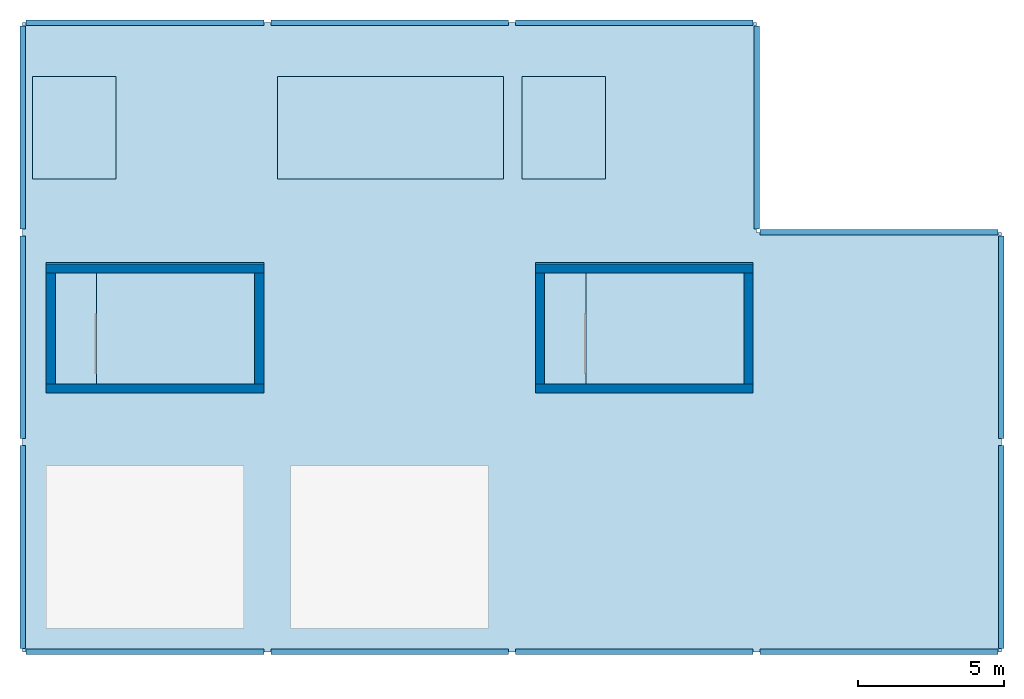
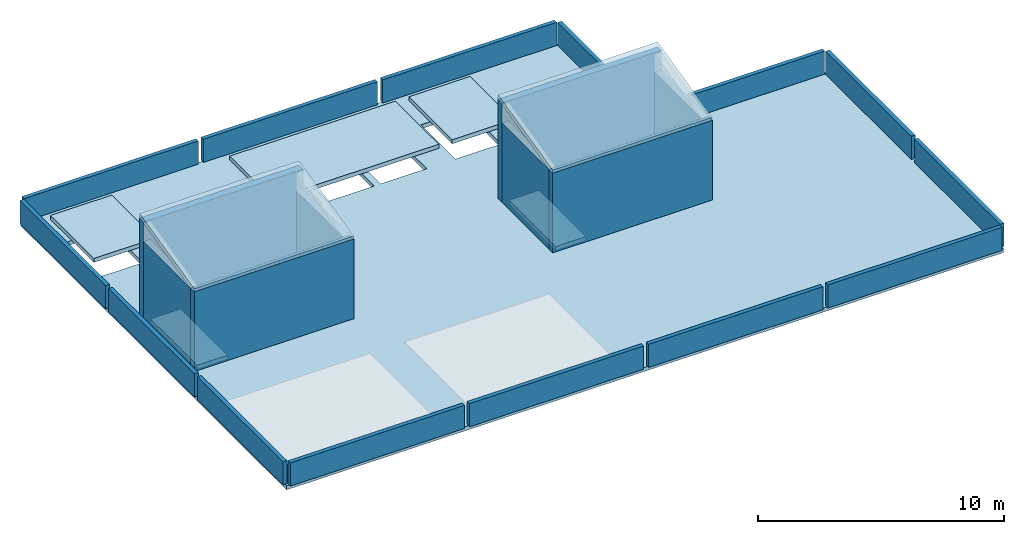
# One storey, part 1 of 2: 22 walls, 6 slabs, 2 roofs.
"""IFC4 building model written with IfcOpenShell, lengths in metres."""

from ifc_helpers import new_model, si_unit, derived_unit, direction, frame, frame_2d, origin, place, context, subcontext, project, spatial, polyline, rectangle, outline, extrude, material, layer, layer_set, type_object, element, save


model = new_model("IFC4")

# Units and contexts
model_context = context("Model", 3, precision=1e-05, world=origin(), true_north=direction((0.0, 1.0)))
body_context = subcontext(model_context, "Body", "Model", "MODEL_VIEW")
ifc_project = project(units=[si_unit("LENGTHUNIT", "METRE"), si_unit("AREAUNIT", "SQUARE_METRE"), si_unit("VOLUMEUNIT", "CUBIC_METRE"), si_unit("PLANEANGLEUNIT", "RADIAN"), si_unit("MASSUNIT", "GRAM", prefix="KILO"), derived_unit("THERMALTRANSMITTANCEUNIT", [(si_unit("MASSUNIT", "GRAM", prefix="KILO"), 1), (si_unit("TIMEUNIT", "SECOND"), -3), (si_unit("THERMODYNAMICTEMPERATUREUNIT", "KELVIN"), -1)])], contexts=[model_context])

# Site, building, storey
site_placement = place(None, origin())
site = spatial("IfcSite", under=ifc_project, at=site_placement, CompositionType="ELEMENT")
building_placement = place(site_placement, origin())
building = spatial("IfcBuilding", under=site, at=building_placement, Name="Veldstrom Oceanarium and Marine Research Institute", CompositionType="ELEMENT")
storey_placement = place(building_placement, frame((0.0, 0.0, 73.800048828125)))
storey = spatial("IfcBuildingStorey", under=building, at=storey_placement, Name="ROOF", CompositionType="ELEMENT", Elevation=73.800048828125)

# Slabs
ifc_material_1 = material(Name="Concrete C40/50", Category="concrete")
ifc_layer_1 = layer(ifc_material_1, 0.199951171875)
ifc_layer_set_1 = layer_set([ifc_layer_1], Name="STR-SLB-LD200")
slab_type_1 = type_object("IfcSlabType", Name="STR-SLB-LD200", PredefinedType="LANDING", material=ifc_layer_set_1)
slab_1_placement = place(storey_placement, frame((0.0, 0.0, -0.199951171875)))
element("IfcSlab", 1, at=slab_1_placement, inside=storey, type_object=slab_type_1, Name="Stair Floor Landing ST1 ROOF", PredefinedType="LANDING", context=body_context, shape_type="SweptSolid", body=[
    extrude(outline(polyline([(76.719970703125, 52.39990234375), (78.139892578125, 52.39990234375), (78.139892578125, 56.199951171875), (76.719970703125, 56.199951171875), (76.719970703125, 52.39990234375)])), origin(), (0.0, 0.0, 1.0), 0.199951171875),
])
slab_2_placement = place(storey_placement, frame((0.0, 0.0, -0.199951171875)))
element("IfcSlab", 2, at=slab_2_placement, inside=storey, type_object=slab_type_1, Name="Stair Floor Landing ST2 ROOF", PredefinedType="LANDING", context=body_context, shape_type="SweptSolid", body=[
    extrude(outline(polyline([(93.52001953125, 52.39990234375), (94.93994140625, 52.39990234375), (94.93994140625, 56.199951171875), (93.52001953125, 56.199951171875), (93.52001953125, 52.39990234375)])), origin(), (0.0, 0.0, 1.0), 0.199951171875),
])
ifc_material_2 = material(Name="Concrete C40/50", Category="concrete")
ifc_layer_2 = layer(ifc_material_2, 0.199951171875)
ifc_layer_set_2 = layer_set([ifc_layer_2], Name="STR-SLB-RF0200")
slab_type_2 = type_object("IfcSlabType", Name="STR-SLB-RF0200", PredefinedType="ROOF", material=ifc_layer_set_2)
slab_3_placement = place(storey_placement, frame((0.0, 0.0, -0.199951171875)))
element("IfcSlab", 3, at=slab_3_placement, inside=storey, type_object=slab_type_2, Name="Maintenance Roof Slab L15", PredefinedType="ROOF", context=body_context, shape_type="SweptSolid", body=[
    extrude(outline(polyline([(109.199951171875, 50.39990234375), (109.199951171875, 43.199951171875), (100.800048828125, 43.199951171875), (92.39990234375, 43.199951171875), (84.0, 43.199951171875), (75.60009765625, 43.199951171875), (75.60009765625, 50.39990234375), (75.60009765625, 57.60009765625), (75.60009765625, 64.800048828125), (84.0, 64.800048828125), (92.39990234375, 64.800048828125), (100.800048828125, 64.800048828125), (100.800048828125, 57.60009765625), (109.199951171875, 57.60009765625), (109.199951171875, 50.39990234375)]), holes=[polyline([(76.719970703125, 52.39990234375), (83.56005859375, 52.39990234375), (83.56005859375, 56.199951171875), (76.719970703125, 56.199951171875), (76.719970703125, 52.39990234375)]), polyline([(93.52001953125, 56.199951171875), (93.52001953125, 52.39990234375), (100.360107421875, 52.39990234375), (100.360107421875, 56.199951171875), (93.52001953125, 56.199951171875)]), polyline([(78.449951171875, 62.60009765625), (76.300048828125, 62.60009765625), (76.300048828125, 59.800048828125), (78.449951171875, 59.800048828125), (78.449951171875, 62.60009765625)]), polyline([(95.25, 59.800048828125), (95.25, 62.60009765625), (93.10009765625, 62.60009765625), (93.10009765625, 59.800048828125), (95.25, 59.800048828125)]), polyline([(84.699951171875, 59.800048828125), (86.85009765625, 59.800048828125), (86.85009765625, 62.60009765625), (84.699951171875, 62.60009765625), (84.699951171875, 59.800048828125)]), polyline([(87.14990234375, 62.60009765625), (87.14990234375, 59.800048828125), (89.300048828125, 59.800048828125), (89.300048828125, 62.60009765625), (87.14990234375, 62.60009765625)]), polyline([(91.75, 62.60009765625), (89.60009765625, 62.60009765625), (89.60009765625, 59.800048828125), (91.75, 59.800048828125), (91.75, 62.60009765625)])]), origin(), (0.0, 0.0, 1.0), 0.199951171875),
])
slab_4_placement = place(storey_placement, frame((0.0, 0.0, 1.099853515625)))
element("IfcSlab", 4, at=slab_4_placement, inside=storey, type_object=slab_type_2, Name="Lift Bank Overrun Roof Slab 9/8", PredefinedType="ROOF", context=body_context, shape_type="SweptSolid", body=[
    extrude(outline(polyline([(75.93994140625, 59.43994140625), (78.81005859375, 59.43994140625), (78.81005859375, 62.9599609375), (75.93994140625, 62.9599609375), (75.93994140625, 59.43994140625)])), origin(), (0.0, 0.0, 1.0), 0.2001953125),
])
slab_5_placement = place(storey_placement, frame((0.0, 0.0, 1.099853515625)))
element("IfcSlab", 5, at=slab_5_placement, inside=storey, type_object=slab_type_2, Name="Lift Bank Overrun Roof Slab 10/8", PredefinedType="ROOF", context=body_context, shape_type="SweptSolid", body=[
    extrude(outline(polyline([(84.340087890625, 59.43994140625), (92.110107421875, 59.43994140625), (92.110107421875, 62.9599609375), (84.340087890625, 62.9599609375), (84.340087890625, 59.43994140625)])), origin(), (0.0, 0.0, 1.0), 0.2001953125),
])
slab_6_placement = place(storey_placement, frame((0.0, 0.0, 1.099853515625)))
element("IfcSlab", 6, at=slab_6_placement, inside=storey, type_object=slab_type_2, Name="Lift Bank Overrun Roof Slab 11/8", PredefinedType="ROOF", context=body_context, shape_type="SweptSolid", body=[
    extrude(outline(polyline([(92.739990234375, 59.43994140625), (95.610107421875, 59.43994140625), (95.610107421875, 62.9599609375), (92.739990234375, 62.9599609375), (92.739990234375, 59.43994140625)])), origin(), (0.0, 0.0, 1.0), 0.2001953125),
])

# Walls
ifc_material_3 = material(Name="Masonry Cavity Wall", Category="masonry")
ifc_layer_3 = layer(ifc_material_3, 0.18505859375)
ifc_layer_set_3 = layer_set([ifc_layer_3], Name="ARC-WAL-PR2")
wall_type_1 = type_object("IfcWallType", Name="ARC-WAL-PR2", PredefinedType="PARAPET", material=ifc_layer_set_3)
wall_1_placement = place(storey_placement, frame((75.719970703125, 43.199951171875, 0.0), z_axis=(0.0, 0.0, 1.0), x_axis=(1.0, 0.0, 0.0)))
element("IfcWall", 7, at=wall_1_placement, inside=storey, type_object=wall_type_1, Name="Roof Parapet Wall L15-115", PredefinedType="PARAPET", context=body_context, shape_type="SweptSolid", body=[
    extrude(rectangle(XDim=8.159912109375, YDim=0.18505859375, at=frame_2d((4.080078125, 0.0))), origin(), (0.0, 0.0, 1.0), 1.14990234375),
])
for number, where, z_axis, x_axis, name in (
    (8, (75.60009765625, 43.320068359375, 0.0), (0.0, 0.0, 1.0), (0.0, 1.0, 0.0), "Roof Parapet Wall L15-116"),
    (9, (75.60009765625, 50.52001953125, 0.0), (0.0, 0.0, 1.0), (0.0, 1.0, 0.0), "Roof Parapet Wall L15-117"),
):
    element("IfcWall", number, at=place(storey_placement, frame(where, z_axis=z_axis, x_axis=x_axis)), inside=storey, type_object=wall_type_1, Name=name, PredefinedType="PARAPET", context=body_context, shape_type="SweptSolid", body=[
        extrude(rectangle(XDim=6.9599609375, YDim=0.18505859375, at=frame_2d((3.47998046875, 0.0))), origin(), (0.0, 0.0, 1.0), 1.14990234375),
    ])
wall_2_placement = place(storey_placement, frame((75.719970703125, 64.800048828125, 0.0), z_axis=(0.0, 0.0, 1.0), x_axis=(1.0, 0.0, 0.0)))
element("IfcWall", 10, at=wall_2_placement, inside=storey, type_object=wall_type_1, Name="Roof Parapet Wall L15-118", PredefinedType="PARAPET", context=body_context, shape_type="SweptSolid", body=[
    extrude(rectangle(XDim=8.159912109375, YDim=0.18505859375, at=frame_2d((4.080078125, 0.0))), origin(), (0.0, 0.0, 1.0), 1.14990234375),
])
wall_3_placement = place(storey_placement, frame((75.60009765625, 57.719970703125, 0.0), z_axis=(0.0, 0.0, 1.0), x_axis=(0.0, 1.0, 0.0)))
element("IfcWall", 11, at=wall_3_placement, inside=storey, type_object=wall_type_1, Name="Roof Parapet Wall L15-119", PredefinedType="PARAPET", context=body_context, shape_type="SweptSolid", body=[
    extrude(rectangle(XDim=6.9599609375, YDim=0.18505859375, at=frame_2d((3.47998046875, 0.0))), origin(), (0.0, 0.0, 1.0), 1.14990234375),
])
for number, where, z_axis, x_axis, name in (
    (12, (84.1201171875, 43.199951171875, 0.0), (0.0, 0.0, 1.0), (1.0, 0.0, 0.0), "Roof Parapet Wall L15-120"),
    (13, (84.1201171875, 64.800048828125, 0.0), (0.0, 0.0, 1.0), (1.0, 0.0, 0.0), "Roof Parapet Wall L15-121"),
    (14, (92.52001953125, 43.199951171875, 0.0), (0.0, 0.0, 1.0), (1.0, 0.0, 0.0), "Roof Parapet Wall L15-122"),
    (15, (92.52001953125, 64.800048828125, 0.0), (0.0, 0.0, 1.0), (1.0, 0.0, 0.0), "Roof Parapet Wall L15-123"),
):
    element("IfcWall", number, at=place(storey_placement, frame(where, z_axis=z_axis, x_axis=x_axis)), inside=storey, type_object=wall_type_1, Name=name, PredefinedType="PARAPET", context=body_context, shape_type="SweptSolid", body=[
        extrude(rectangle(XDim=8.159912109375, YDim=0.18505859375, at=frame_2d((4.080078125, 0.0))), origin(), (0.0, 0.0, 1.0), 1.14990234375),
    ])
wall_4_placement = place(storey_placement, frame((100.800048828125, 57.719970703125, 0.0), z_axis=(0.0, 0.0, 1.0), x_axis=(0.0, 1.0, 0.0)))
element("IfcWall", 16, at=wall_4_placement, inside=storey, type_object=wall_type_1, Name="Roof Parapet Wall L15-124", PredefinedType="PARAPET", context=body_context, shape_type="SweptSolid", body=[
    extrude(rectangle(XDim=6.9599609375, YDim=0.18505859375, at=frame_2d((3.47998046875, 0.0))), origin(), (0.0, 0.0, 1.0), 1.14990234375),
])
wall_5_placement = place(storey_placement, frame((100.919921875, 43.199951171875, 0.0), z_axis=(0.0, 0.0, 1.0), x_axis=(1.0, 0.0, 0.0)))
element("IfcWall", 17, at=wall_5_placement, inside=storey, type_object=wall_type_1, Name="Roof Parapet Wall L15-125", PredefinedType="PARAPET", context=body_context, shape_type="SweptSolid", body=[
    extrude(rectangle(XDim=8.16015625, YDim=0.18505859375, at=frame_2d((4.080078125, 0.0))), origin(), (0.0, 0.0, 1.0), 1.14990234375),
])
wall_6_placement = place(storey_placement, frame((109.199951171875, 43.320068359375, 0.0), z_axis=(0.0, 0.0, 1.0), x_axis=(0.0, 1.0, 0.0)))
element("IfcWall", 18, at=wall_6_placement, inside=storey, type_object=wall_type_1, Name="Roof Parapet Wall L15-126", PredefinedType="PARAPET", context=body_context, shape_type="SweptSolid", body=[
    extrude(rectangle(XDim=6.9599609375, YDim=0.18505859375, at=frame_2d((3.47998046875, 0.0))), origin(), (0.0, 0.0, 1.0), 1.14990234375),
])
wall_7_placement = place(storey_placement, frame((100.919921875, 57.60009765625, 0.0), z_axis=(0.0, 0.0, 1.0), x_axis=(1.0, 0.0, 0.0)))
element("IfcWall", 19, at=wall_7_placement, inside=storey, type_object=wall_type_1, Name="Roof Parapet Wall L15-127", PredefinedType="PARAPET", context=body_context, shape_type="SweptSolid", body=[
    extrude(rectangle(XDim=8.16015625, YDim=0.18505859375, at=frame_2d((4.080078125, 0.0))), origin(), (0.0, 0.0, 1.0), 1.14990234375),
])
wall_8_placement = place(storey_placement, frame((109.199951171875, 50.52001953125, 0.0), z_axis=(0.0, 0.0, 1.0), x_axis=(0.0, 1.0, 0.0)))
element("IfcWall", 20, at=wall_8_placement, inside=storey, type_object=wall_type_1, Name="Roof Parapet Wall L15-128", PredefinedType="PARAPET", context=body_context, shape_type="SweptSolid", body=[
    extrude(rectangle(XDim=6.9599609375, YDim=0.18505859375, at=frame_2d((3.47998046875, 0.0))), origin(), (0.0, 0.0, 1.0), 1.14990234375),
])
ifc_material_4 = material(Name="Concrete C40/50", Category="concrete")
ifc_layer_4 = layer(ifc_material_4, 0.320068359375)
ifc_layer_set_4 = layer_set([ifc_layer_4], Name="STR-WAL-WC3")
wall_type_2 = type_object("IfcWallType", Name="STR-WAL-WC3", PredefinedType="SHEAR", material=ifc_layer_set_4)
wall_9_placement = place(storey_placement, frame((76.39990234375, 52.239990234375, 0.0), z_axis=(0.0, 0.0, 1.0), x_axis=(1.0, 0.0, 0.0)))
element("IfcWall", 21, at=wall_9_placement, inside=storey, type_object=wall_type_2, Name="Stair Core Shear Wall SC1-ROOF-S", PredefinedType="SHEAR", context=body_context, shape_type="SweptSolid", body=[
    extrude(rectangle(XDim=7.47998046875, YDim=0.320068359375, at=frame_2d((3.739990234375, 0.0))), origin(), (0.0, 0.0, 1.0), 3.949951171875),
])
wall_10_placement = place(storey_placement, frame((76.39990234375, 56.360107421875, 0.0), z_axis=(0.0, 0.0, 1.0), x_axis=(1.0, 0.0, 0.0)))
element("IfcWall", 22, at=wall_10_placement, inside=storey, type_object=wall_type_2, Name="Stair Core Shear Wall SC1-ROOF-N", PredefinedType="SHEAR", context=body_context, shape_type="SweptSolid", body=[
    extrude(rectangle(XDim=7.47998046875, YDim=0.320068359375, at=frame_2d((3.739990234375, 0.0))), origin(), (0.0, 0.0, 1.0), 4.9140625),
])
for number, where, z_axis, x_axis, name in (
    (23, (76.56005859375, 52.39990234375, 0.0), (0.0, 0.0, 1.0), (0.0, 1.0, 0.0), "Stair Core Shear Wall SC1-ROOF-W"),
    (24, (83.719970703125, 52.39990234375, 0.0), (0.0, 0.0, 1.0), (0.0, 1.0, 0.0), "Stair Core Shear Wall SC1-ROOF-E"),
):
    element("IfcWall", number, at=place(storey_placement, frame(where, z_axis=z_axis, x_axis=x_axis)), inside=storey, type_object=wall_type_2, Name=name, PredefinedType="SHEAR", context=body_context, shape_type="SweptSolid", body=[
        extrude(rectangle(XDim=3.800048828125, YDim=0.320068359375, at=frame_2d((1.89990234375, 0.0))), origin(), (0.0, 0.0, 1.0), 3.949951171875),
    ])
wall_11_placement = place(storey_placement, frame((93.199951171875, 52.239990234375, 0.0), z_axis=(0.0, 0.0, 1.0), x_axis=(1.0, 0.0, 0.0)))
element("IfcWall", 25, at=wall_11_placement, inside=storey, type_object=wall_type_2, Name="Stair Core Shear Wall SC2-ROOF-S", PredefinedType="SHEAR", context=body_context, shape_type="SweptSolid", body=[
    extrude(rectangle(XDim=7.47998046875, YDim=0.320068359375, at=frame_2d((3.739990234375, 0.0))), origin(), (0.0, 0.0, 1.0), 3.949951171875),
])
wall_12_placement = place(storey_placement, frame((93.199951171875, 56.360107421875, 0.0), z_axis=(0.0, 0.0, 1.0), x_axis=(1.0, 0.0, 0.0)))
element("IfcWall", 26, at=wall_12_placement, inside=storey, type_object=wall_type_2, Name="Stair Core Shear Wall SC2-ROOF-N", PredefinedType="SHEAR", context=body_context, shape_type="SweptSolid", body=[
    extrude(rectangle(XDim=7.47998046875, YDim=0.320068359375, at=frame_2d((3.739990234375, 0.0))), origin(), (0.0, 0.0, 1.0), 4.9140625),
])
for number, where, z_axis, x_axis, name in (
    (27, (93.360107421875, 52.39990234375, 0.0), (0.0, 0.0, 1.0), (0.0, 1.0, 0.0), "Stair Core Shear Wall SC2-ROOF-W"),
    (28, (100.52001953125, 52.39990234375, 0.0), (0.0, 0.0, 1.0), (0.0, 1.0, 0.0), "Stair Core Shear Wall SC2-ROOF-E"),
):
    element("IfcWall", number, at=place(storey_placement, frame(where, z_axis=z_axis, x_axis=x_axis)), inside=storey, type_object=wall_type_2, Name=name, PredefinedType="SHEAR", context=body_context, shape_type="SweptSolid", body=[
        extrude(rectangle(XDim=3.800048828125, YDim=0.320068359375, at=frame_2d((1.89990234375, 0.0))), origin(), (0.0, 0.0, 1.0), 3.949951171875),
    ])

# Roofs
ifc_material_5 = material(Name="Concrete C40/50", Category="concrete")
ifc_layer_5 = layer(ifc_material_5, 0.219970703125)
ifc_layer_set_5 = layer_set([ifc_layer_5], Name="STR-ROF-SH1")
roof_type = type_object("IfcRoofType", Name="STR-ROF-SH1", PredefinedType="SHED_ROOF", material=ifc_layer_set_5)
for number, where, z_axis, x_axis, name in (
    (29, (76.39990234375, 52.080078125, 4.099853515625), (0.0, -0.228072375029, 0.973644181284), (1.0, 0.0, 0.0), "Escape Stair Head-House Mono-Pitch Roof ST1"),
    (30, (93.199951171875, 52.080078125, 4.099853515625), (0.0, -0.228072375029, 0.973644181284), (1.0, 0.0, 0.0), "Escape Stair Head-House Mono-Pitch Roof ST2"),
):
    element("IfcRoof", number, at=place(storey_placement, frame(where, z_axis=z_axis, x_axis=x_axis)), inside=storey, type_object=roof_type, Name=name, PredefinedType="SHED_ROOF", context=body_context, shape_type="SweptSolid", body=[
        extrude(outline(polyline([(0.0, 0.0), (7.47998046875, 0.0), (7.47998046875, 4.560127294545527), (0.0, 4.560127294545527), (0.0, 0.0)])), origin(), (0.0, 0.0, -1.0), 0.219970703125),
    ])

save(model, "model.ifc")
